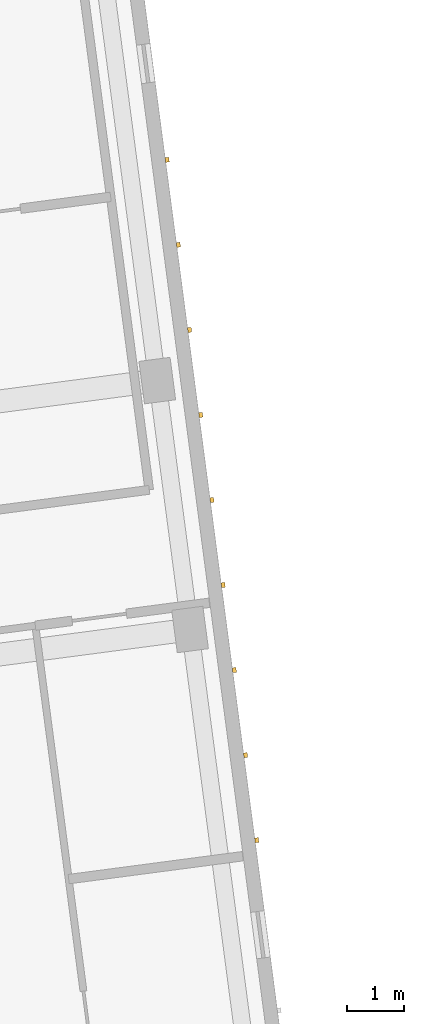
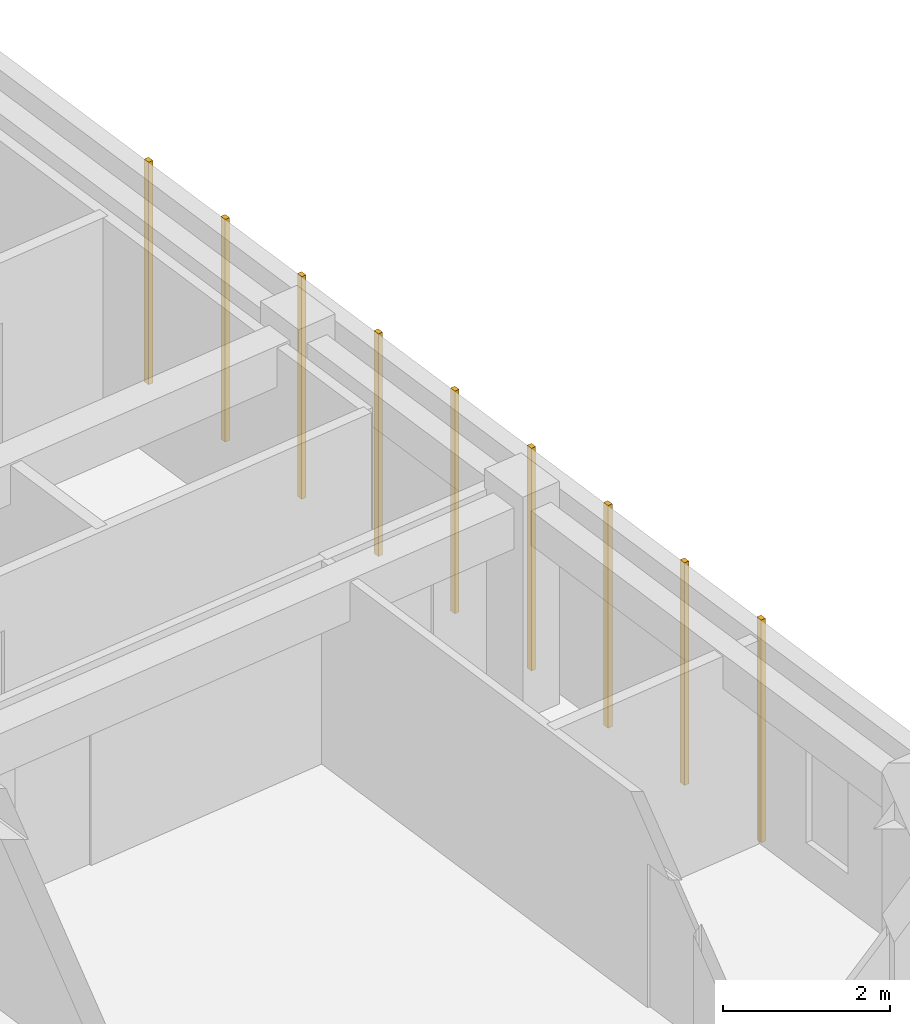
# One storey, part 48 of 66: 9 coverings.
"""IFC4 building model written with IfcOpenShell, lengths in metres."""

from ifc_helpers import new_model, si_unit, direction, frame, origin, origin_2d, place, context, subcontext, project, spatial, rectangle, extrude, material, layer, layer_set, type_object, element, save


model = new_model("IFC4")

# Units and contexts
model_context = context("Model", 3, precision=1e-05, world=origin(), true_north=direction((0.0, 1.0)))
body_context = subcontext(model_context, "Body", "Model", "MODEL_VIEW")
ifc_project = project(units=[si_unit("LENGTHUNIT", "METRE"), si_unit("AREAUNIT", "SQUARE_METRE"), si_unit("VOLUMEUNIT", "CUBIC_METRE"), si_unit("PLANEANGLEUNIT", "RADIAN"), si_unit("MASSUNIT", "GRAM", prefix="KILO")], contexts=[model_context])

# Site, building, storey
site_placement = place(None, origin())
site = spatial("IfcSite", under=ifc_project, at=site_placement, CompositionType="ELEMENT")
building_placement = place(site_placement, origin())
building = spatial("IfcBuilding", under=site, at=building_placement, Name="Kestramere Prow Commons", CompositionType="ELEMENT")
storey_placement = place(building_placement, frame((0.0, 0.0, 14.89990234375)))
storey = spatial("IfcBuildingStorey", under=building, at=storey_placement, Name="L04", CompositionType="ELEMENT", Elevation=14.89990234375)

# Coverings
ifc_material = material(Name="Weathered Zinc-Titanium Standing-Seam Cladding")
ifc_layer = layer(ifc_material, 0.074951171875)
ifc_layer_set = layer_set([ifc_layer], Name="Weathered Zinc-Titanium Standing-Seam Cladding")
covering_type = type_object("IfcCoveringType", Name="COV-CLAD-SEAM", PredefinedType="CLADDING", material=ifc_layer_set)
for number, where, z_axis, x_axis, name in (
    (1, (62.129638671875, 94.857421875, -0.25), (0.0, 0.0, 1.0), (0.13052619222, -0.991444861374, 0.0), "EW-A-L04-EAV Standing-Seam Rib 3"),
    (2, (62.325927734375, 93.36669921875, -0.25), (0.0, 0.0, 1.0), (0.13052619222, -0.991444861374, 0.0), "EW-A-L04-EAV Standing-Seam Rib 4"),
    (3, (62.522216796875, 91.8759765625, -0.25), (0.0, 0.0, 1.0), (0.13052619222, -0.991444861374, 0.0), "EW-A-L04-EAV Standing-Seam Rib 5"),
    (4, (62.718505859375, 90.38525390625, -0.25), (0.0, 0.0, 1.0), (0.13052619222, -0.991444861374, 0.0), "EW-A-L04-EAV Standing-Seam Rib 6"),
    (5, (62.914794921875, 88.894775390625, -0.25), (0.0, 0.0, 1.0), (0.13052619222, -0.991444861374, 0.0), "EW-A-L04-EAV Standing-Seam Rib 7"),
    (6, (63.111083984375, 87.404052734375, -0.25), (0.0, 0.0, 1.0), (0.13052619222, -0.991444861374, 0.0), "EW-A-L04-EAV Standing-Seam Rib 8"),
    (7, (63.30712890625, 85.913330078125, -0.25), (0.0, 0.0, 1.0), (0.13052619222, -0.991444861374, 0.0), "EW-A-L04-EAV Standing-Seam Rib 9"),
    (8, (63.50341796875, 84.422607421875, -0.25), (0.0, 0.0, 1.0), (0.13052619222, -0.991444861374, 0.0), "EW-A-L04-EAV Standing-Seam Rib 10"),
    (9, (63.69970703125, 82.931884765625, -0.25), (0.0, 0.0, 1.0), (0.13052619222, -0.991444861374, 0.0), "EW-A-L04-EAV Standing-Seam Rib 11"),
):
    element("IfcCovering", number, at=place(storey_placement, frame(where, z_axis=z_axis, x_axis=x_axis)), inside=storey, type_object=covering_type, Name=name, PredefinedType="CLADDING", context=body_context, shape_type="SweptSolid", body=[
        extrude(rectangle(XDim=0.0849609375, YDim=0.06494140625, at=origin_2d()), origin(), (0.0, 0.0, 1.0), 3.25),
    ])

save(model, "model.ifc")
